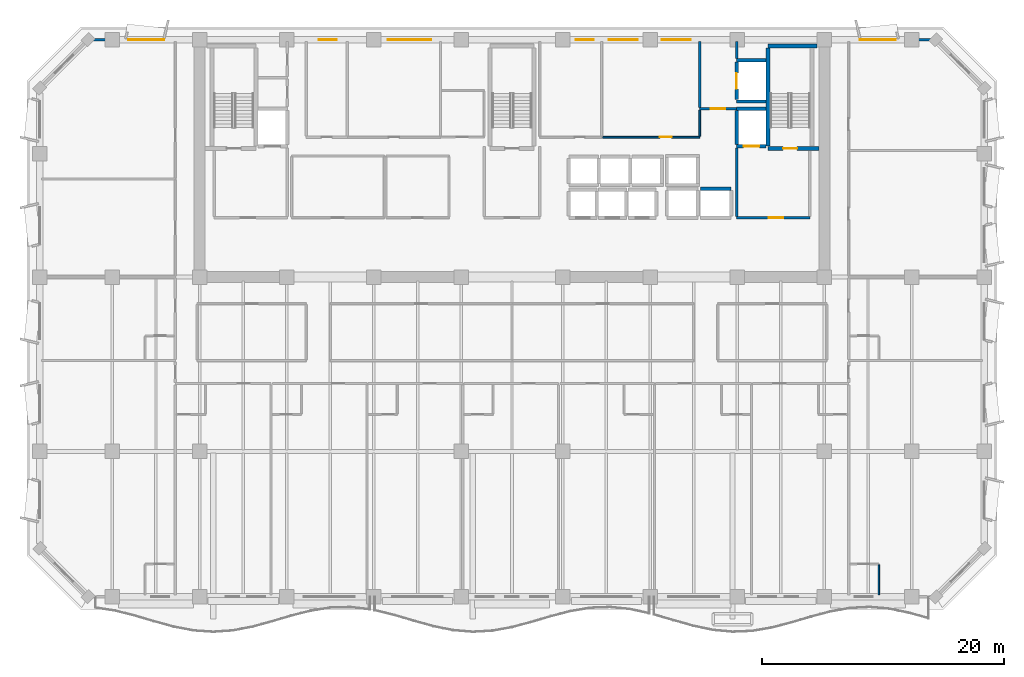
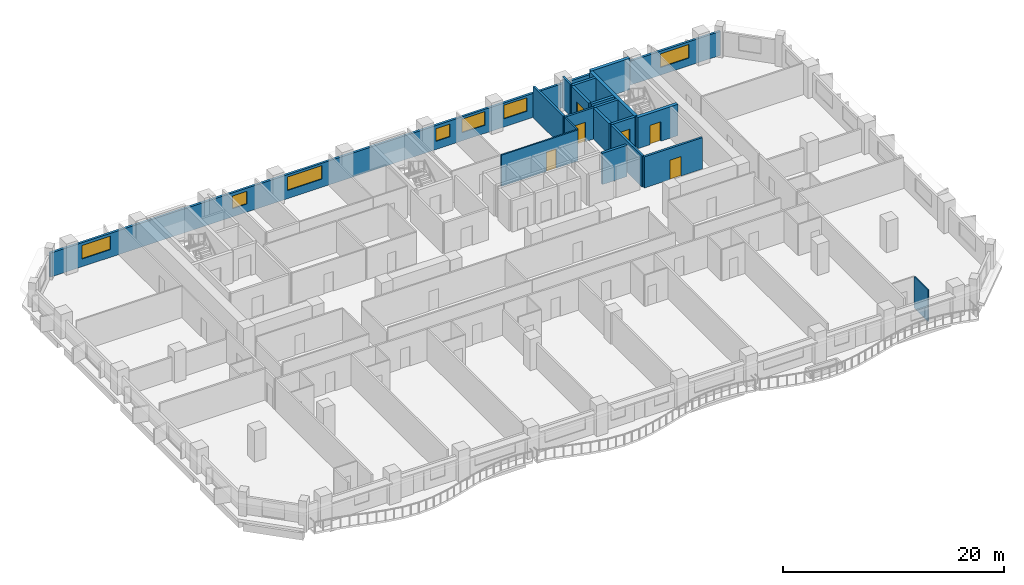
# One storey, part 8 of 15: 19 walls, 7 windows, 6 doors, 13 openings.
"""IFC4 building model written with IfcOpenShell, lengths in metres."""

from ifc_helpers import new_model, si_unit, direction, frame, frame_2d, origin, place, context, subcontext, project, spatial, rectangle, extrude, material, layer, layer_set, type_object, element, fill, save


model = new_model("IFC4")

# Units and contexts
model_context = context("Model", 3, precision=1e-05, world=origin(), true_north=direction((0.0, 1.0)))
body_context = subcontext(model_context, "Body", "Model", "MODEL_VIEW")
ifc_project = project(units=[si_unit("LENGTHUNIT", "METRE"), si_unit("AREAUNIT", "SQUARE_METRE"), si_unit("VOLUMEUNIT", "CUBIC_METRE"), si_unit("PLANEANGLEUNIT", "RADIAN"), si_unit("MASSUNIT", "GRAM", prefix="KILO")], contexts=[model_context])

# Site, building, storey
site_placement = place(None, origin())
site = spatial("IfcSite", under=ifc_project, at=site_placement, CompositionType="ELEMENT")
building_placement = place(site_placement, origin())
building = spatial("IfcBuilding", under=site, at=building_placement, Name="Kaelvorn Grand Hotel", CompositionType="ELEMENT")
storey_placement = place(building_placement, frame((0.0, 0.0, 180.949951171875)))
storey = spatial("IfcBuildingStorey", under=building, at=storey_placement, Name="L44", CompositionType="ELEMENT", Elevation=180.949951171875)

# Wall, openings, windows
ifc_material_1 = material(Name="Concrete C40/50", Category="concrete")
ifc_layer_1 = layer(ifc_material_1, 0.239990234375)
ifc_layer_set_1 = layer_set([ifc_layer_1], Name="Concrete C40/50")
wall_type_1 = type_object("IfcWallType", Name="WL-EXT-240-C40", PredefinedType="SOLIDWALL", material=ifc_layer_set_1)
wall_1_placement = place(storey_placement, frame((77.0, 49.0, 0.0), z_axis=(0.0, 0.0, 1.0), x_axis=(-1.0, 0.0, 0.0)))
wall_1 = element("IfcWall", 1, at=wall_1_placement, inside=storey, type_object=wall_type_1, Name="L44 Exterior Architectural Concrete Wall 05", PredefinedType="SOLIDWALL", context=body_context, shape_type="SweptSolid", body=[
    extrude(rectangle(XDim=70.0, YDim=0.239990234375, at=frame_2d((35.0, 0.0))), origin(), (0.0, 0.0, 1.0), 2.650146484375),
])
opening_1_placement = place(wall_1_placement, frame((63.699951171875, 0.0, 0.85009765625)))
opening_1 = element("IfcOpeningElement", 2, at=opening_1_placement, cuts=wall_1, Name="Opening W5", PredefinedType="OPENING", context=body_context, shape_type="SweptSolid", body=[
    extrude(rectangle(XDim=3.0, YDim=1.5, at=frame_2d((1.5, 0.75))), frame((0.0, 0.1298828125, 0.0), z_axis=(0.0, -1.0, 0.0), x_axis=(1.0, 0.0, 0.0)), (0.0, 0.0, 1.0), 0.260009765625),
])
opening_2_placement = place(wall_1_placement, frame((3.300048828125, 0.0, 0.85009765625)))
opening_2 = element("IfcOpeningElement", 3, at=opening_2_placement, cuts=wall_1, Name="Opening W5", PredefinedType="OPENING", context=body_context, shape_type="SweptSolid", body=[
    extrude(rectangle(XDim=3.0, YDim=1.5, at=frame_2d((1.5, 0.75))), frame((0.0, 0.1298828125, 0.0), z_axis=(0.0, -1.0, 0.0), x_axis=(1.0, 0.0, 0.0)), (0.0, 0.0, 1.0), 0.260009765625),
])
opening_3_placement = place(wall_1_placement, frame((49.465087890625, 0.0, 0.89990234375)))
opening_3 = element("IfcOpeningElement", 4, at=opening_3_placement, cuts=wall_1, Name="Opening W10", PredefinedType="OPENING", context=body_context, shape_type="SweptSolid", body=[
    extrude(rectangle(XDim=1.5, YDim=1.39990234375, at=frame_2d((0.75, 0.699951171875))), frame((0.0, 0.1298828125, 0.0), z_axis=(0.0, -1.0, 0.0), x_axis=(1.0, 0.0, 0.0)), (0.0, 0.0, 1.0), 0.260009765625),
])
opening_4_placement = place(wall_1_placement, frame((41.64990234375, 0.0, 0.89990234375)))
opening_4 = element("IfcOpeningElement", 5, at=opening_4_placement, cuts=wall_1, Name="Opening W3", PredefinedType="OPENING", context=body_context, shape_type="SweptSolid", body=[
    extrude(rectangle(XDim=3.60009765625, YDim=1.5, at=frame_2d((1.800048828125, 0.75))), frame((0.0, 0.1298828125, 0.0), z_axis=(0.0, -1.0, 0.0), x_axis=(1.0, 0.0, 0.0)), (0.0, 0.0, 1.0), 0.260009765625),
])
opening_5_placement = place(wall_1_placement, frame((28.25, 0.0, 0.89990234375)))
opening_5 = element("IfcOpeningElement", 6, at=opening_5_placement, cuts=wall_1, Name="Opening W10", PredefinedType="OPENING", context=body_context, shape_type="SweptSolid", body=[
    extrude(rectangle(XDim=1.5, YDim=1.39990234375, at=frame_2d((0.75, 0.699951171875))), frame((0.0, 0.1298828125, 0.0), z_axis=(0.0, -1.0, 0.0), x_axis=(1.0, 0.0, 0.0)), (0.0, 0.0, 1.0), 0.260009765625),
])
opening_6_placement = place(wall_1_placement, frame((24.60009765625, 0.0, 0.89990234375)))
opening_6 = element("IfcOpeningElement", 7, at=opening_6_placement, cuts=wall_1, Name="Opening W6", PredefinedType="OPENING", context=body_context, shape_type="SweptSolid", body=[
    extrude(rectangle(XDim=2.39990234375, YDim=1.5, at=frame_2d((1.199951171875, 0.75))), frame((0.0, 0.1298828125, 0.0), z_axis=(0.0, -1.0, 0.0), x_axis=(1.0, 0.0, 0.0)), (0.0, 0.0, 1.0), 0.260009765625),
])
opening_7_placement = place(wall_1_placement, frame((20.235107421875, 0.0, 0.89990234375)))
opening_7 = element("IfcOpeningElement", 8, at=opening_7_placement, cuts=wall_1, Name="Opening W6", PredefinedType="OPENING", context=body_context, shape_type="SweptSolid", body=[
    extrude(rectangle(XDim=2.39990234375, YDim=1.5, at=frame_2d((1.199951171875, 0.75))), frame((0.0, 0.1298828125, 0.0), z_axis=(0.0, -1.0, 0.0), x_axis=(1.0, 0.0, 0.0)), (0.0, 0.0, 1.0), 0.260009765625),
])
ifc_material_2 = material(Name="Laminated Low-E Glass", Category="glass")
window_type_1 = type_object("IfcWindowType", Name="WIN-COR-1500x1400", PartitioningType="SINGLE_PANEL", PredefinedType="WINDOW", material=ifc_material_2)
window_1_placement = place(opening_3_placement, origin())
window_1 = element("IfcWindow", 9, at=window_1_placement, inside=storey, type_object=window_type_1, Name="L44 North Core Clerestory Ribbon Window NC03", OverallHeight=1.39990234375, OverallWidth=1.5, PartitioningType="SINGLE_PANEL", PredefinedType="WINDOW", context=body_context, shape_type="SweptSolid", body=[
    extrude(rectangle(XDim=1.5, YDim=1.39990234375, at=frame_2d((0.75, 0.699951171875))), frame((0.0, 0.030029296875, 0.0), z_axis=(0.0, -1.0, 0.0), x_axis=(1.0, 0.0, 0.0)), (0.0, 0.0, 1.0), 0.06005859375),
])
fill(opening_3, window_1)
window_2_placement = place(opening_5_placement, origin())
window_2 = element("IfcWindow", 10, at=window_2_placement, inside=storey, type_object=window_type_1, Name="L44 North Core Clerestory Ribbon Window NC05", OverallHeight=1.39990234375, OverallWidth=1.5, PartitioningType="SINGLE_PANEL", PredefinedType="WINDOW", context=body_context, shape_type="SweptSolid", body=[
    extrude(rectangle(XDim=1.5, YDim=1.39990234375, at=frame_2d((0.75, 0.699951171875))), frame((0.0, 0.030029296875, 0.0), z_axis=(0.0, -1.0, 0.0), x_axis=(1.0, 0.0, 0.0)), (0.0, 0.0, 1.0), 0.06005859375),
])
fill(opening_5, window_2)
window_type_2 = type_object("IfcWindowType", Name="WIN-NTH-2400x1500", PartitioningType="SINGLE_PANEL", PredefinedType="WINDOW", material=ifc_material_2)
window_3_placement = place(opening_6_placement, origin())
window_3 = element("IfcWindow", 11, at=window_3_placement, inside=storey, type_object=window_type_2, Name="L44 North Core Clerestory Ribbon Window NC06", OverallHeight=1.5, OverallWidth=2.39990234375, PartitioningType="SINGLE_PANEL", PredefinedType="WINDOW", context=body_context, shape_type="SweptSolid", body=[
    extrude(rectangle(XDim=2.39990234375, YDim=1.5, at=frame_2d((1.199951171875, 0.75))), frame((0.0, 0.030029296875, 0.0), z_axis=(0.0, -1.0, 0.0), x_axis=(1.0, 0.0, 0.0)), (0.0, 0.0, 1.0), 0.06005859375),
])
fill(opening_6, window_3)
window_4_placement = place(opening_7_placement, origin())
window_4 = element("IfcWindow", 12, at=window_4_placement, inside=storey, type_object=window_type_2, Name="L44 North Core Clerestory Ribbon Window NC07", OverallHeight=1.5, OverallWidth=2.39990234375, PartitioningType="SINGLE_PANEL", PredefinedType="WINDOW", context=body_context, shape_type="SweptSolid", body=[
    extrude(rectangle(XDim=2.39990234375, YDim=1.5, at=frame_2d((1.199951171875, 0.75))), frame((0.0, 0.030029296875, 0.0), z_axis=(0.0, -1.0, 0.0), x_axis=(1.0, 0.0, 0.0)), (0.0, 0.0, 1.0), 0.06005859375),
])
fill(opening_7, window_4)
window_type_3 = type_object("IfcWindowType", Name="WIN-NTH-3000x1500", PartitioningType="SINGLE_PANEL", PredefinedType="WINDOW", material=ifc_material_2)
window_5_placement = place(opening_1_placement, origin())
window_5 = element("IfcWindow", 13, at=window_5_placement, inside=storey, type_object=window_type_3, Name="L44 North Wing Ribbon Window NW01", OverallHeight=1.5, OverallWidth=3.0, PartitioningType="SINGLE_PANEL", PredefinedType="WINDOW", context=body_context, shape_type="SweptSolid", body=[
    extrude(rectangle(XDim=3.0, YDim=1.5, at=frame_2d((1.5, 0.75))), frame((0.0, 0.030029296875, 0.0), z_axis=(0.0, -1.0, 0.0), x_axis=(1.0, 0.0, 0.0)), (0.0, 0.0, 1.0), 0.06005859375),
])
fill(opening_1, window_5)
window_6_placement = place(opening_2_placement, origin())
window_6 = element("IfcWindow", 14, at=window_6_placement, inside=storey, type_object=window_type_3, Name="L44 North Wing Ribbon Window NW02", OverallHeight=1.5, OverallWidth=3.0, PartitioningType="SINGLE_PANEL", PredefinedType="WINDOW", context=body_context, shape_type="SweptSolid", body=[
    extrude(rectangle(XDim=3.0, YDim=1.5, at=frame_2d((1.5, 0.75))), frame((0.0, 0.030029296875, 0.0), z_axis=(0.0, -1.0, 0.0), x_axis=(1.0, 0.0, 0.0)), (0.0, 0.0, 1.0), 0.06005859375),
])
fill(opening_2, window_6)
window_type_4 = type_object("IfcWindowType", Name="WIN-RIB-3600x1750", PartitioningType="SINGLE_PANEL", PredefinedType="WINDOW", material=ifc_material_2)
window_7_placement = place(opening_4_placement, origin())
window_7 = element("IfcWindow", 15, at=window_7_placement, inside=storey, type_object=window_type_4, Name="L44 North Core Clerestory Ribbon Window NC04", OverallHeight=1.5, OverallWidth=3.60009765625, PartitioningType="SINGLE_PANEL", PredefinedType="WINDOW", context=body_context, shape_type="SweptSolid", body=[
    extrude(rectangle(XDim=3.60009765625, YDim=1.5, at=frame_2d((1.800048828125, 0.75))), frame((0.0, 0.030029296875, 0.0), z_axis=(0.0, -1.0, 0.0), x_axis=(1.0, 0.0, 0.0)), (0.0, 0.0, 1.0), 0.06005859375),
])
fill(opening_4, window_7)

# Wall
ifc_material_3 = material(Name="Moisture-Resistant Tile & Stud Board")
ifc_layer_2 = layer(ifc_material_3, 0.125)
ifc_layer_set_2 = layer_set([ifc_layer_2], Name="Moisture-Resistant Tile & Stud Board")
wall_type_2 = type_object("IfcWallType", Name="WL-PART-125-WET", PredefinedType="PARTITIONING", material=ifc_layer_set_2)
wall_2_placement = place(storey_placement, frame((72.300048828125, 3.14990234375, 0.0), z_axis=(0.0, 0.0, 1.0), x_axis=(0.0, 1.0, 0.0)))
element("IfcWall", 16, at=wall_2_placement, inside=storey, type_object=wall_type_2, Name="L44 En-suite Bathroom L44-10 E Partition", PredefinedType="PARTITIONING", context=body_context, shape_type="SweptSolid", body=[
    extrude(rectangle(XDim=2.482666015625, YDim=0.125, at=frame_2d((1.2412109375, 0.0))), origin(), (0.0, 0.0, 1.0), 3.449951171875),
])

# Wall, opening, door
ifc_material_4 = material(Name="Acoustic Gypsum & Stud Partition")
ifc_layer_3 = layer(ifc_material_4, 0.14990234375)
ifc_layer_set_3 = layer_set([ifc_layer_3], Name="Acoustic Gypsum & Stud Partition")
wall_type_3 = type_object("IfcWallType", Name="WL-PART-150-EI60", PredefinedType="PARTITIONING", material=ifc_layer_set_3)
wall_3_placement = place(storey_placement, frame((49.47998046875, 40.949951171875, 0.0), z_axis=(0.0, 0.0, 1.0), x_axis=(1.0, 0.0, 0.0)))
wall_3 = element("IfcWall", 17, at=wall_3_placement, inside=storey, type_object=wall_type_3, Name="L44 Butler Servery Pantry S Partition", PredefinedType="PARTITIONING", context=body_context, shape_type="SweptSolid", body=[
    extrude(rectangle(XDim=8.02001953125, YDim=0.14990234375, at=frame_2d((4.010009765625, 0.0))), origin(), (0.0, 0.0, 1.0), 3.449951171875),
])
opening_8_placement = place(wall_3_placement, frame((4.719970703125, 0.0, 0.0)))
opening_8 = element("IfcOpeningElement", 18, at=opening_8_placement, cuts=wall_3, Name="Opening DI3", PredefinedType="OPENING", context=body_context, shape_type="SweptSolid", body=[
    extrude(rectangle(XDim=1.0, YDim=2.14990234375, at=frame_2d((0.5, 1.074951171875))), frame((0.0, 0.0849609375, 0.0), z_axis=(0.0, -1.0, 0.0), x_axis=(1.0, 0.0, 0.0)), (0.0, 0.0, 1.0), 0.169921875),
])
ifc_material_5 = material(Name="Timber Veneer Fire Leaf", Category="wood")
door_type_1 = type_object("IfcDoorType", Name="DR-INT-GUEST-1000x2150", OperationType="NOTDEFINED", PredefinedType="DOOR", material=ifc_material_5)
door_1_placement = place(opening_8_placement, origin())
door_1 = element("IfcDoor", 19, at=door_1_placement, inside=storey, type_object=door_type_1, Name="L44 Butler Servery Pantry Door", OperationType="SINGLE_SWING_RIGHT", OverallHeight=2.14990234375, OverallWidth=1.0, PredefinedType="DOOR", context=body_context, shape_type="SweptSolid", body=[
    extrude(rectangle(XDim=1.0, YDim=2.14990234375, at=frame_2d((0.5, 1.074951171875))), frame((0.0, 0.02490234375, 0.0), z_axis=(0.0, -1.0, 0.0), x_axis=(1.0, 0.0, 0.0)), (0.0, 0.0, 1.0), 0.050048828125),
])
fill(opening_8, door_1)

# Wall
wall_4_placement = place(storey_placement, frame((57.5, 41.030029296875, 0.0), z_axis=(0.0, 0.0, 1.0), x_axis=(0.0, 1.0, 0.0)))
element("IfcWall", 20, at=wall_4_placement, inside=storey, type_object=wall_type_3, Name="L44 Butler Servery Pantry E Partition", PredefinedType="PARTITIONING", context=body_context, shape_type="SweptSolid", body=[
    extrude(rectangle(XDim=2.155029296875, YDim=0.14990234375, at=frame_2d((1.07763671875, 0.0))), origin(), (0.0, 0.0, 1.0), 3.449951171875),
])

# Wall, opening, door
ifc_layer_4 = layer(ifc_material_1, 0.219970703125)
ifc_layer_set_4 = layer_set([ifc_layer_4], Name="Concrete C40/50")
wall_type_4 = type_object("IfcWallType", Name="WL-PART-220-EI120", PredefinedType="PARTITIONING", material=ifc_layer_set_4)
wall_5_placement = place(storey_placement, frame((60.550048828125, 34.300048828125, 0.0), z_axis=(0.0, 0.0, 1.0), x_axis=(1.0, 0.0, 0.0)))
wall_5 = element("IfcWall", 21, at=wall_5_placement, inside=storey, type_object=wall_type_4, Name="L44 Firefighting Lift Lobby 2 S Partition", PredefinedType="PARTITIONING", context=body_context, shape_type="SweptSolid", body=[
    extrude(rectangle(XDim=6.050048828125, YDim=0.219970703125, at=frame_2d((3.02490234375, 0.0))), origin(), (0.0, 0.0, 1.0), 3.449951171875),
])
opening_9_placement = place(wall_5_placement, frame((2.64990234375, 0.0, 0.0)))
opening_9 = element("IfcOpeningElement", 22, at=opening_9_placement, cuts=wall_5, Name="Opening DI2", PredefinedType="OPENING", context=body_context, shape_type="SweptSolid", body=[
    extrude(rectangle(XDim=1.199951171875, YDim=2.14990234375, at=frame_2d((0.60009765625, 1.074951171875))), frame((0.0, 0.1201171875, 0.0), z_axis=(0.0, -1.0, 0.0), x_axis=(1.0, 0.0, 0.0)), (0.0, 0.0, 1.0), 0.239990234375),
])
door_type_2 = type_object("IfcDoorType", Name="DR-INT-FFLOB-1200x2150", OperationType="NOTDEFINED", PredefinedType="DOOR", material=ifc_material_5)
door_2_placement = place(opening_9_placement, origin())
door_2 = element("IfcDoor", 23, at=door_2_placement, inside=storey, type_object=door_type_2, Name="L44 Firefighting Lift Lobby 2 Door", OperationType="SINGLE_SWING_LEFT", OverallHeight=2.14990234375, OverallWidth=1.199951171875, PredefinedType="DOOR", context=body_context, shape_type="SweptSolid", body=[
    extrude(rectangle(XDim=1.199951171875, YDim=2.14990234375, at=frame_2d((0.60009765625, 1.074951171875))), frame((0.0, 0.02490234375, 0.0), z_axis=(0.0, -1.0, 0.0), x_axis=(1.0, 0.0, 0.0)), (0.0, 0.0, 1.0), 0.050048828125),
])
fill(opening_9, door_2)

# Wall
wall_6_placement = place(storey_placement, frame((60.550048828125, 34.4150390625, 0.0), z_axis=(0.0, 0.0, 1.0), x_axis=(0.0, 1.0, 0.0)))
element("IfcWall", 24, at=wall_6_placement, inside=storey, type_object=wall_type_4, Name="L44 Firefighting Lift Lobby 2 W Partition", PredefinedType="PARTITIONING", context=body_context, shape_type="SweptSolid", body=[
    extrude(rectangle(XDim=5.639892578125, YDim=0.219970703125, at=frame_2d((2.81982421875, 0.0))), origin(), (0.0, 0.0, 1.0), 3.449951171875),
])

# Wall, opening, door
wall_7_placement = place(storey_placement, frame((57.5, 43.300048828125, 0.0), z_axis=(0.0, 0.0, 1.0), x_axis=(1.0, 0.0, 0.0)))
wall_7 = element("IfcWall", 25, at=wall_7_placement, inside=storey, type_object=wall_type_4, Name="L44 Service Lift Lobby S Partition", PredefinedType="PARTITIONING", context=body_context, shape_type="SweptSolid", body=[
    extrude(rectangle(XDim=3.0400390625, YDim=0.219970703125, at=frame_2d((1.52001953125, 0.0))), origin(), (0.0, 0.0, 1.0), 3.449951171875),
])
opening_10_placement = place(wall_7_placement, frame((0.89990234375, 0.0, 0.0)))
opening_10 = element("IfcOpeningElement", 26, at=opening_10_placement, cuts=wall_7, Name="Opening DI2", PredefinedType="OPENING", context=body_context, shape_type="SweptSolid", body=[
    extrude(rectangle(XDim=1.199951171875, YDim=2.14990234375, at=frame_2d((0.60009765625, 1.074951171875))), frame((0.0, 0.1201171875, 0.0), z_axis=(0.0, -1.0, 0.0), x_axis=(1.0, 0.0, 0.0)), (0.0, 0.0, 1.0), 0.239990234375),
])
door_3_placement = place(opening_10_placement, origin())
door_3 = element("IfcDoor", 27, at=door_3_placement, inside=storey, type_object=door_type_2, Name="L44 Service Lift Lobby Door", OperationType="SINGLE_SWING_LEFT", OverallHeight=2.14990234375, OverallWidth=1.199951171875, PredefinedType="DOOR", context=body_context, shape_type="SweptSolid", body=[
    extrude(rectangle(XDim=1.199951171875, YDim=2.14990234375, at=frame_2d((0.60009765625, 1.074951171875))), frame((0.0, 0.02490234375, 0.0), z_axis=(0.0, -1.0, 0.0), x_axis=(1.0, 0.0, 0.0)), (0.0, 0.0, 1.0), 0.050048828125),
])
fill(opening_10, door_3)

# Walls
wall_8_placement = place(storey_placement, frame((57.5, 43.4150390625, 0.0), z_axis=(0.0, 0.0, 1.0), x_axis=(0.0, 1.0, 0.0)))
element("IfcWall", 28, at=wall_8_placement, inside=storey, type_object=wall_type_4, Name="L44 Service Lift Lobby W Partition", PredefinedType="PARTITIONING", context=body_context, shape_type="SweptSolid", body=[
    extrude(rectangle(XDim=5.43505859375, YDim=0.219970703125, at=frame_2d((2.717529296875, 0.0))), origin(), (0.0, 0.0, 1.0), 3.449951171875),
])
wall_9_placement = place(storey_placement, frame((60.550048828125, 47.445068359375, 0.0), z_axis=(0.0, 0.0, 1.0), x_axis=(0.0, 1.0, 0.0)))
element("IfcWall", 29, at=wall_9_placement, inside=storey, type_object=wall_type_4, Name="L44 Service Lift Lobby E Partition", PredefinedType="PARTITIONING", context=body_context, shape_type="SweptSolid", body=[
    extrude(rectangle(XDim=1.405029296875, YDim=0.219970703125, at=frame_2d((0.70263671875, 0.0))), origin(), (0.0, 0.0, 1.0), 3.449951171875),
])
ifc_material_6 = material(Name="Concrete C50/60", Category="concrete")
ifc_layer_5 = layer(ifc_material_6, 0.280029296875)
ifc_layer_set_5 = layer_set([ifc_layer_5], Name="Concrete C50/60")
wall_type_5 = type_object("IfcWallType", Name="WL-SHAFT-280-C50", PredefinedType="SHEAR", material=ifc_layer_set_5)
wall_10_placement = place(storey_placement, frame((57.550048828125, 36.699951171875, 0.0), z_axis=(0.0, 0.0, 1.0), x_axis=(1.0, 0.0, 0.0)))
element("IfcWall", 30, at=wall_10_placement, inside=storey, type_object=wall_type_5, Name="L44 Lift OL-2 Shaft North Wall", PredefinedType="SHEAR", context=body_context, shape_type="SweptSolid", body=[
    extrude(rectangle(XDim=2.550048828125, YDim=0.280029296875, at=frame_2d((1.27490234375, 0.0))), origin(), (0.0, 0.0, 1.0), 3.449951171875),
])

# Wall, opening, door
wall_11_placement = place(storey_placement, frame((60.550048828125, 40.199951171875, 0.0), z_axis=(0.0, 0.0, 1.0), x_axis=(1.0, 0.0, 0.0)))
wall_11 = element("IfcWall", 31, at=wall_11_placement, inside=storey, type_object=wall_type_5, Name="L44 Lift FFL2 Shaft South Wall", PredefinedType="SHEAR", context=body_context, shape_type="SweptSolid", body=[
    extrude(rectangle(XDim=2.4150390625, YDim=0.280029296875, at=frame_2d((1.20751953125, 0.0))), origin(), (0.0, 0.0, 1.0), 3.449951171875),
])
opening_11_placement = place(wall_11_placement, frame((0.574951171875, 0.0, 0.0)))
opening_11 = element("IfcOpeningElement", 32, at=opening_11_placement, cuts=wall_11, Name="Opening LD-FFL2", PredefinedType="OPENING", context=body_context, shape_type="SweptSolid", body=[
    extrude(rectangle(XDim=1.300048828125, YDim=2.300048828125, at=frame_2d((0.64990234375, 1.14990234375))), frame((0.0, 0.14990234375, 0.0), z_axis=(0.0, -1.0, 0.0), x_axis=(1.0, 0.0, 0.0)), (0.0, 0.0, 1.0), 0.300048828125),
])
ifc_material_7 = material(Name="Stainless Steel", Category="steel")
door_type_3 = type_object("IfcDoorType", Name="DR-LIFT-SERV-1300x2300", OperationType="DOUBLE_DOOR_SLIDING", PredefinedType="DOOR", material=ifc_material_7)
door_4_placement = place(opening_11_placement, origin())
door_4 = element("IfcDoor", 33, at=door_4_placement, inside=storey, type_object=door_type_3, Name="L44 Lift FFL2 Sliding Landing Door LD-FFL2", OperationType="DOUBLE_DOOR_SLIDING", OverallHeight=2.300048828125, OverallWidth=1.300048828125, PredefinedType="DOOR", context=body_context, shape_type="SweptSolid", body=[
    extrude(rectangle(XDim=1.300048828125, YDim=2.300048828125, at=frame_2d((0.64990234375, 1.14990234375))), frame((0.0, 0.02490234375, 0.0), z_axis=(0.0, -1.0, 0.0), x_axis=(1.0, 0.0, 0.0)), (0.0, 0.0, 1.0), 0.050048828125),
])
fill(opening_11, door_4)

# Walls
wall_12_placement = place(storey_placement, frame((60.550048828125, 43.300048828125, 0.0), z_axis=(0.0, 0.0, 1.0), x_axis=(1.0, 0.0, 0.0)))
element("IfcWall", 34, at=wall_12_placement, inside=storey, type_object=wall_type_5, Name="L44 Lift FFL2 Shaft North Wall", PredefinedType="SHEAR", context=body_context, shape_type="SweptSolid", body=[
    extrude(rectangle(XDim=2.4150390625, YDim=0.280029296875, at=frame_2d((1.20751953125, 0.0))), origin(), (0.0, 0.0, 1.0), 3.449951171875),
])
wall_13_placement = place(storey_placement, frame((60.550048828125, 40.344970703125, 0.0), z_axis=(0.0, 0.0, 1.0), x_axis=(0.0, 1.0, 0.0)))
element("IfcWall", 35, at=wall_13_placement, inside=storey, type_object=wall_type_5, Name="L44 Lift FFL2 Shaft West Wall", PredefinedType="SHEAR", context=body_context, shape_type="SweptSolid", body=[
    extrude(rectangle(XDim=2.81005859375, YDim=0.280029296875, at=frame_2d((1.405029296875, 0.0))), origin(), (0.0, 0.0, 1.0), 3.449951171875),
])
for number, where, z_axis, x_axis, name in (
    (36, (60.550048828125, 43.89990234375, 0.0), (0.0, 0.0, 1.0), (1.0, 0.0, 0.0), "L44 Lift SV1 Shaft South Wall"),
    (37, (60.550048828125, 47.300048828125, 0.0), (0.0, 0.0, 1.0), (1.0, 0.0, 0.0), "L44 Lift SV1 Shaft North Wall"),
):
    element("IfcWall", number, at=place(storey_placement, frame(where, z_axis=z_axis, x_axis=x_axis)), inside=storey, type_object=wall_type_5, Name=name, PredefinedType="SHEAR", context=body_context, shape_type="SweptSolid", body=[
        extrude(rectangle(XDim=2.4150390625, YDim=0.280029296875, at=frame_2d((1.20751953125, 0.0))), origin(), (0.0, 0.0, 1.0), 3.449951171875),
    ])

# Wall, opening, door
wall_14_placement = place(storey_placement, frame((60.550048828125, 44.044921875, 0.0), z_axis=(0.0, 0.0, 1.0), x_axis=(0.0, 1.0, 0.0)))
wall_14 = element("IfcWall", 38, at=wall_14_placement, inside=storey, type_object=wall_type_5, Name="L44 Lift SV1 Shaft West Wall", PredefinedType="SHEAR", context=body_context, shape_type="SweptSolid", body=[
    extrude(rectangle(XDim=3.110107421875, YDim=0.280029296875, at=frame_2d((1.55517578125, 0.0))), origin(), (0.0, 0.0, 1.0), 3.449951171875),
])
opening_12_placement = place(wall_14_placement, frame((0.905029296875, 0.0, 0.0)))
opening_12 = element("IfcOpeningElement", 39, at=opening_12_placement, cuts=wall_14, Name="Opening LD-SV1", PredefinedType="OPENING", context=body_context, shape_type="SweptSolid", body=[
    extrude(rectangle(XDim=1.300048828125, YDim=2.300048828125, at=frame_2d((0.64990234375, 1.14990234375))), frame((0.0, 0.14990234375, 0.0), z_axis=(0.0, -1.0, 0.0), x_axis=(1.0, 0.0, 0.0)), (0.0, 0.0, 1.0), 0.300048828125),
])
door_5_placement = place(opening_12_placement, origin())
door_5 = element("IfcDoor", 40, at=door_5_placement, inside=storey, type_object=door_type_3, Name="L44 Lift SV1 Sliding Landing Door LD-SV1", OperationType="DOUBLE_DOOR_SLIDING", OverallHeight=2.300048828125, OverallWidth=1.300048828125, PredefinedType="DOOR", context=body_context, shape_type="SweptSolid", body=[
    extrude(rectangle(XDim=1.300048828125, YDim=2.300048828125, at=frame_2d((0.64990234375, 1.14990234375))), frame((0.0, 0.02490234375, 0.0), z_axis=(0.0, -1.0, 0.0), x_axis=(1.0, 0.0, 0.0)), (0.0, 0.0, 1.0), 0.050048828125),
])
fill(opening_12, door_5)

ifc_material_8 = material(Name="Concrete C60/75", Category="concrete")
ifc_layer_6 = layer(ifc_material_8, 0.35009765625)
ifc_layer_set_6 = layer_set([ifc_layer_6], Name="Concrete C60/75")
wall_type_6 = type_object("IfcWallType", Name="WL-SHAFT-350-C60", PredefinedType="SHEAR", material=ifc_layer_set_6)
wall_15_placement = place(storey_placement, frame((63.14501953125, 40.02490234375, 0.0), z_axis=(0.0, 0.0, 1.0), x_axis=(1.0, 0.0, 0.0)))
wall_15 = element("IfcWall", 41, at=wall_15_placement, inside=storey, type_object=wall_type_6, Name="L44 ST3 Stair Shaft South Wall", PredefinedType="SHEAR", context=body_context, shape_type="SweptSolid", body=[
    extrude(rectangle(XDim=4.199951171875, YDim=0.35009765625, at=frame_2d((2.10009765625, 0.0))), origin(), (0.0, 0.0, 1.0), 3.449951171875),
])
opening_13_placement = place(wall_15_placement, frame((1.239990234375, 0.0, 0.0)))
opening_13 = element("IfcOpeningElement", 42, at=opening_13_placement, cuts=wall_15, Name="Opening DI1", PredefinedType="OPENING", context=body_context, shape_type="SweptSolid", body=[
    extrude(rectangle(XDim=1.14990234375, YDim=2.14990234375, at=frame_2d((0.574951171875, 1.074951171875))), frame((0.0, 0.18505859375, 0.0), z_axis=(0.0, -1.0, 0.0), x_axis=(1.0, 0.0, 0.0)), (0.0, 0.0, 1.0), 0.3701171875),
])
door_type_4 = type_object("IfcDoorType", Name="DR-INT-STAIR-1150x2150", OperationType="NOTDEFINED", PredefinedType="DOOR", material=ifc_material_5)
door_6_placement = place(opening_13_placement, origin())
door_6 = element("IfcDoor", 43, at=door_6_placement, inside=storey, type_object=door_type_4, Name="L44 ST3 Exit Stair Fire Door", OperationType="SINGLE_SWING_LEFT", OverallHeight=2.14990234375, OverallWidth=1.14990234375, PredefinedType="DOOR", context=body_context, shape_type="SweptSolid", body=[
    extrude(rectangle(XDim=1.14990234375, YDim=2.14990234375, at=frame_2d((0.574951171875, 1.074951171875))), frame((0.0, 0.02490234375, 0.0), z_axis=(0.0, -1.0, 0.0), x_axis=(1.0, 0.0, 0.0)), (0.0, 0.0, 1.0), 0.050048828125),
])
fill(opening_13, door_6)

# Walls
wall_16_placement = place(storey_placement, frame((63.14501953125, 48.47509765625, 0.0), z_axis=(0.0, 0.0, 1.0), x_axis=(1.0, 0.0, 0.0)))
element("IfcWall", 44, at=wall_16_placement, inside=storey, type_object=wall_type_6, Name="L44 ST3 Stair Shaft North Wall", PredefinedType="SHEAR", context=body_context, shape_type="SweptSolid", body=[
    extrude(rectangle(XDim=4.050048828125, YDim=0.35009765625, at=frame_2d((2.02490234375, 0.0))), origin(), (0.0, 0.0, 1.0), 3.449951171875),
])
wall_17_placement = place(storey_placement, frame((63.14501953125, 40.205078125, 0.0), z_axis=(0.0, 0.0, 1.0), x_axis=(0.0, 1.0, 0.0)))
element("IfcWall", 45, at=wall_17_placement, inside=storey, type_object=wall_type_6, Name="L44 ST3 Stair Shaft West Wall", PredefinedType="SHEAR", context=body_context, shape_type="SweptSolid", body=[
    extrude(rectangle(XDim=8.08984375, YDim=0.35009765625, at=frame_2d((4.044921875, 0.0))), origin(), (0.0, 0.0, 1.0), 3.449951171875),
])

save(model, "model.ifc")
